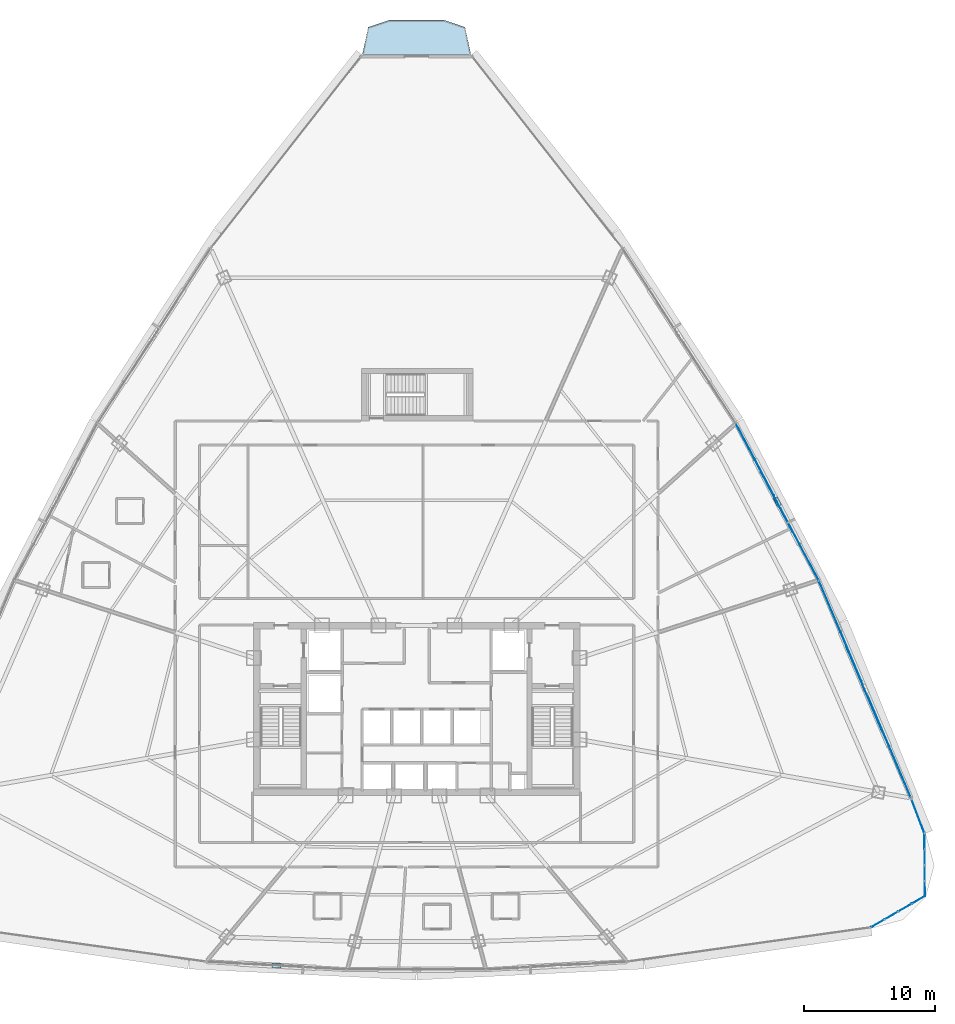
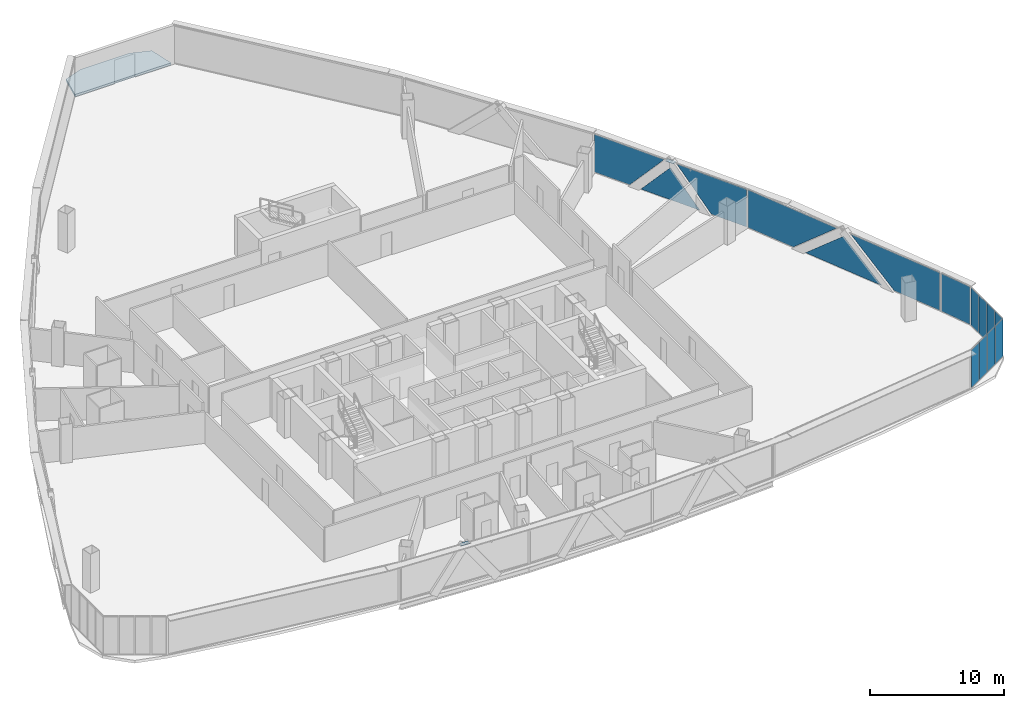
# One storey, part 30 of 40: 17 plates, 1 slab, 5 elements without a shape of their own.
"""IFC4 building model written with IfcOpenShell, lengths in metres."""

from ifc_helpers import new_model, si_unit, direction, frame, origin, origin_2d, place, context, subcontext, project, spatial, polyline, rectangle, outline, extrude, source, transform, mapped, material, layer, layer_set, type_object, element, aggregate, save


model = new_model("IFC4")

# Units and contexts
model_context = context("Model", 3, precision=1e-05, world=origin(), true_north=direction((0.0, 1.0)))
body_context = subcontext(model_context, "Body", "Model", "MODEL_VIEW")
ifc_project = project(units=[si_unit("LENGTHUNIT", "METRE"), si_unit("AREAUNIT", "SQUARE_METRE"), si_unit("VOLUMEUNIT", "CUBIC_METRE"), si_unit("PLANEANGLEUNIT", "RADIAN"), si_unit("MASSUNIT", "GRAM", prefix="KILO"), si_unit("THERMODYNAMICTEMPERATUREUNIT", "KELVIN"), si_unit("POWERUNIT", "WATT")], contexts=[model_context])

# Site, building, storey
site_placement = place(None, origin())
site = spatial("IfcSite", under=ifc_project, at=site_placement, CompositionType="ELEMENT")
building_placement = place(site_placement, origin())
building = spatial("IfcBuilding", under=site, at=building_placement, Name="Yunzhuo Pagoda Commons", CompositionType="ELEMENT")
storey_placement = place(building_placement, frame((0.0, 0.0, 180.9599609375)))
storey = spatial("IfcBuildingStorey", under=building, at=storey_placement, Name="L45", CompositionType="ELEMENT", Elevation=180.9599609375)

# Curtain wall, plates
ifc_material_1 = material(Name="Anodized aluminium 6063-T6", Category="aluminium")
ifc_layer_1 = layer(ifc_material_1, 0.14990234375)
ifc_layer_set_1 = layer_set([ifc_layer_1], Name="Anodized aluminium 6063-T6")
curtain_wall_type_1 = type_object("IfcCurtainWallType", Name="CW-MID Mid-Zone Ribbon Curtain Wall", PredefinedType="NOTDEFINED", material=ifc_layer_set_1)
curtain_wall_1_placement = place(storey_placement, origin())
curtain_wall_1 = element("IfcCurtainWall", 1, at=curtain_wall_1_placement, inside=storey, type_object=curtain_wall_type_1, Name="L45 curtain wall CW-L45-F2B2", PredefinedType="NOTDEFINED")
ifc_material_2 = material(Name="Tempered low-e double glazing", Category="glass")
ifc_layer_2 = layer(ifc_material_2, 0.028076171875)
ifc_layer_set_2 = layer_set([ifc_layer_2], Name="Tempered low-e double glazing")
plate_type_1 = type_object("IfcPlateType", Name="CW-MID-P Low-E Double Glazing 28", PredefinedType="CURTAIN_PANEL", material=ifc_layer_set_2)
plate_1_placement = place(storey_placement, frame((84.03369140625, 30.925537109375, 1.77001953125), z_axis=(0.920515325194, 0.390706457693, 0.0), x_axis=(-0.390706457693, 0.920515325194, 0.0)))
plate_1 = element("IfcPlate", 2, at=plate_1_placement, type_object=plate_type_1, Name="CW panel 1.1 lite 1", PredefinedType="CURTAIN_PANEL", context=body_context, shape_type="SweptSolid", body=[
    extrude(outline(polyline([(-4.15185546875, -1.715087890625), (0.08154296875, -1.715087890625), (4.151611328125, 1.715087890625), (-4.15185546875, 1.715087890625), (-4.15185546875, -1.715087890625)])), origin(), (0.0, 0.0, 1.0), 0.028076171875),
])
plate_2_placement = place(storey_placement, frame((82.128173828125, 35.33837890625, 1.549072265625), z_axis=(0.920515325194, 0.390706457693, 0.0), x_axis=(-0.390706457693, 0.920515325194, 0.0)))
plate_2 = element("IfcPlate", 3, at=plate_2_placement, type_object=plate_type_1, Name="CW panel 1.1 lite 2", PredefinedType="CURTAIN_PANEL", context=body_context, shape_type="SweptSolid", body=[
    extrude(outline(polyline([(-3.545654296875, -1.494140625), (3.545654296875, -1.494140625), (0.0, 1.493896484375), (-3.545654296875, -1.494140625)])), origin(), (0.0, 0.0, 1.0), 0.028076171875),
])
plate_3_placement = place(storey_placement, frame((80.27783203125, 39.77490234375, 1.77001953125), z_axis=(0.920515325194, 0.390706457693, 0.0), x_axis=(-0.390706457693, 0.920515325194, 0.0)))
plate_3 = element("IfcPlate", 4, at=plate_3_placement, type_object=plate_type_1, Name="CW panel 1.1 lite 3", PredefinedType="CURTAIN_PANEL", context=body_context, shape_type="SweptSolid", body=[
    extrude(outline(polyline([(-4.151611328125, 1.715087890625), (-0.08154296875, -1.715087890625), (4.15185546875, -1.715087890625), (4.15185546875, 1.715087890625), (-4.151611328125, 1.715087890625)])), origin(), (0.0, 0.0, 1.0), 0.028076171875),
])
aggregate(curtain_wall_1, [plate_1, plate_2, plate_3])

curtain_wall_2_placement = place(storey_placement, origin())
curtain_wall_2 = element("IfcCurtainWall", 5, at=curtain_wall_2_placement, inside=storey, type_object=curtain_wall_type_1, Name="L45 curtain wall CW-L45-F2B3", PredefinedType="NOTDEFINED")
plate_4_placement = place(storey_placement, frame((77.17138671875, 46.419189453125, 1.77001953125), z_axis=(0.884373131246, 0.46678063877, 0.0), x_axis=(-0.46678063877, 0.884373131246, 0.0)))
plate_4 = element("IfcPlate", 6, at=plate_4_placement, type_object=plate_type_1, Name="CW panel 1.1 lite 1", PredefinedType="CURTAIN_PANEL", context=body_context, shape_type="SweptSolid", body=[
    extrude(outline(polyline([(-3.070556640625, -1.715087890625), (0.020263671875, -1.715087890625), (3.07080078125, 1.715087890625), (-3.070556640625, 1.715087890625), (-3.070556640625, -1.715087890625)])), origin(), (0.0, 0.0, 1.0), 0.028076171875),
])
plate_5_placement = place(storey_placement, frame((75.451171875, 49.61376953125, 1.51171875), z_axis=(0.884373131246, 0.46678063877, 0.0), x_axis=(-0.46678063877, 0.884373131246, 0.0)))
plate_5 = element("IfcPlate", 7, at=plate_5_placement, type_object=plate_type_1, Name="CW panel 1.1 lite 2", PredefinedType="CURTAIN_PANEL", context=body_context, shape_type="SweptSolid", body=[
    extrude(outline(polyline([(-2.5908203125, -1.45654296875), (2.5908203125, -1.45654296875), (0.0, 1.45654296875), (-2.5908203125, -1.45654296875)])), origin(), (0.0, 0.0, 1.0), 0.028076171875),
])
plate_6_placement = place(storey_placement, frame((73.7841796875, 52.83642578125, 1.77001953125), z_axis=(0.884373131246, 0.46678063877, 0.0), x_axis=(-0.46678063877, 0.884373131246, 0.0)))
plate_6 = element("IfcPlate", 8, at=plate_6_placement, type_object=plate_type_1, Name="CW panel 1.1 lite 3", PredefinedType="CURTAIN_PANEL", context=body_context, shape_type="SweptSolid", body=[
    extrude(outline(polyline([(-3.070556640625, 1.715087890625), (-0.020263671875, -1.715087890625), (3.070556640625, -1.715087890625), (3.070556640625, 1.715087890625), (-3.070556640625, 1.715087890625)])), origin(), (0.0, 0.0, 1.0), 0.028076171875),
])
aggregate(curtain_wall_2, [plate_4, plate_5, plate_6])

# Slab
ifc_material_3 = material(Name="Concrete C40", Category="concrete")
ifc_layer_3 = layer(ifc_material_3, 0.199951171875)
ifc_layer_set_3 = layer_set([ifc_layer_3], Name="Concrete C40")
slab_type = type_object("IfcSlabType", Name="SL-BAL Vertex Balcony Deck Slab 200", PredefinedType="FLOOR", material=ifc_layer_set_3)
slab_placement = place(storey_placement, frame((0.0, 0.0, -0.199951171875)))
element("IfcSlab", 9, at=slab_placement, inside=storey, type_object=slab_type, Name="L45 corner balcony V3", PredefinedType="FLOOR", context=body_context, shape_type="SweptSolid", body=[
    extrude(outline(polyline([(52.140380859375, 83.7177734375), (43.859619140625, 83.7177734375), (44.309814453125, 85.812744140625), (45.929931640625, 86.36279296875), (50.070068359375, 86.36279296875), (51.690185546875, 85.812744140625), (52.140380859375, 83.7177734375)])), origin(), (0.0, 0.0, 1.0), 0.199951171875),
])

# Plates
ifc_material_4 = material(Name="Structural steel Q355B", Category="steel")
ifc_layer_4 = layer(ifc_material_4, 0.028076171875)
ifc_layer_set_4 = layer_set([ifc_layer_4], Name="Structural steel Q355B")
plate_type_2 = type_object("IfcPlateType", Name="SP-ND1 Lattice Node Cap Plate 800x500x28", PredefinedType="USERDEFINED", material=ifc_layer_set_4)
shared_shape_1 = source(origin(), body_context, "Body", "SweptSolid", [
    extrude(rectangle(XDim=0.699951171875, YDim=0.35009765625, at=origin_2d()), origin(), (0.0, 0.0, 1.0), 0.035888671875),
])
for number, where, z_axis, x_axis, name in (
    (10, (37.3330078125, 14.27294921875, 3.501953125), (0.0, 0.0, 1.0), (0.998423178068, -0.05613517165, 0.0), "L45 setback lattice tie plate F1.1L"),
    (11, (75.490234375, 49.634521484375, 3.501953125), (0.0, 0.0, 1.0), (-0.46678800242, 0.884369244601, 0.0), "L45 setback lattice tie plate F2.2L"),
):
    element("IfcPlate", number, at=place(storey_placement, frame(where, z_axis=z_axis, x_axis=x_axis)), inside=storey, type_object=plate_type_2, Name=name, ObjectType="STIFFENER_PLATE", PredefinedType="USERDEFINED", context=body_context, shape_type="MappedRepresentation", body=[
        mapped(shared_shape_1, transform((0.0, 0.0, 0.0), scale=1.0)),
    ])

# Curtain wall, plate
curtain_wall_3_placement = place(storey_placement, origin())
curtain_wall_3 = element("IfcCurtainWall", 12, at=curtain_wall_3_placement, inside=storey, type_object=curtain_wall_type_1, Name="L45 curtain wall CW-L45-F2B1", PredefinedType="NOTDEFINED")
shared_shape_2 = source(origin(), body_context, "Body", "SweptSolid", [
    extrude(rectangle(XDim=2.718994140625, YDim=0.028076171875, at=origin_2d()), origin(), (0.0, 0.0, 1.0), 3.429931640625),
])
plate_7_placement = place(storey_placement, frame((86.2216796875, 25.65625, 0.05517578125), z_axis=(0.0, 0.0, 1.0), x_axis=(-0.354256000401, 0.935148483493, 0.0)))
plate_7 = element("IfcPlate", 13, at=plate_7_placement, type_object=plate_type_1, Name="CW panel 1.1", PredefinedType="CURTAIN_PANEL", context=body_context, shape_type="MappedRepresentation", body=[
    mapped(shared_shape_2, transform((0.0, 0.0, 0.0), scale=1.0)),
])
aggregate(curtain_wall_3, [plate_7])

# Curtain wall, plates
ifc_layer_5 = layer(ifc_material_1, 0.1298828125)
ifc_layer_set_5 = layer_set([ifc_layer_5], Name="Anodized aluminium 6063-T6")
curtain_wall_type_2 = type_object("IfcCurtainWallType", Name="CW-VTX Rounded Corner Curtain Wall", PredefinedType="NOTDEFINED", material=ifc_layer_set_5)
curtain_wall_4_placement = place(storey_placement, origin())
curtain_wall_4 = element("IfcCurtainWall", 14, at=curtain_wall_4_placement, inside=storey, type_object=curtain_wall_type_2, Name="L45 curtain wall CW-L45-VTX2S1", PredefinedType="NOTDEFINED")
ifc_layer_6 = layer(ifc_material_2, 0.02587890625)
ifc_layer_set_6 = layer_set([ifc_layer_6], Name="Tempered low-e double glazing")
plate_type_3 = type_object("IfcPlateType", Name="CW-VTX-P Low-E Double Glazing 26", PredefinedType="CURTAIN_PANEL", material=ifc_layer_set_6)
shared_shape_3 = source(origin(), body_context, "Body", "SweptSolid", [
    extrude(rectangle(XDim=1.118408203125, YDim=0.028076171875, at=origin_2d()), origin(), (0.0, 0.0, 1.0), 3.429931640625),
])
plate_8_placement = place(storey_placement, frame((83.15576171875, 17.4951171875, 0.05517578125), z_axis=(0.0, 0.0, 1.0), x_axis=(0.865423910208, 0.501040373263, 0.0)))
plate_8 = element("IfcPlate", 15, at=plate_8_placement, type_object=plate_type_3, Name="CW panel 1.1", PredefinedType="CURTAIN_PANEL", context=body_context, shape_type="MappedRepresentation", body=[
    mapped(shared_shape_3, transform((0.0, 0.0, 0.0), scale=1.0)),
])
plate_9_placement = place(storey_placement, frame((86.25, 19.28662109375, 0.05517578125), z_axis=(0.0, 0.0, 1.0), x_axis=(0.865423910208, 0.501040373263, 0.0)))
plate_9 = element("IfcPlate", 16, at=plate_9_placement, type_object=plate_type_3, Name="CW panel 4.1", PredefinedType="CURTAIN_PANEL", context=body_context, shape_type="MappedRepresentation", body=[
    mapped(shared_shape_3, transform((0.0, 0.0, 0.0), scale=1.0)),
])

curtain_wall_5_placement = place(storey_placement, origin())
curtain_wall_5 = element("IfcCurtainWall", 17, at=curtain_wall_5_placement, inside=storey, type_object=curtain_wall_type_2, Name="L45 curtain wall CW-L45-VTX2S2", PredefinedType="NOTDEFINED")
plate_10_placement = place(storey_placement, frame((86.739501953125, 20.13916015625, 0.05517578125), z_axis=(0.0, 0.0, 1.0), x_axis=(-0.003580326762, 0.99999359061, 0.0)))
plate_10 = element("IfcPlate", 18, at=plate_10_placement, type_object=plate_type_3, Name="CW panel 1.1", PredefinedType="CURTAIN_PANEL", context=body_context, shape_type="MappedRepresentation", body=[
    mapped(shared_shape_3, transform((0.0, 0.0, 0.0), scale=1.0)),
])
plate_11_placement = place(storey_placement, frame((86.726806640625, 23.714599609375, 0.05517578125), z_axis=(0.0, 0.0, 1.0), x_axis=(-0.003580326762, 0.99999359061, 0.0)))
plate_11 = element("IfcPlate", 19, at=plate_11_placement, type_object=plate_type_3, Name="CW panel 4.1", PredefinedType="CURTAIN_PANEL", context=body_context, shape_type="MappedRepresentation", body=[
    mapped(shared_shape_3, transform((0.0, 0.0, 0.0), scale=1.0)),
])

# Plate
shared_shape_4 = source(origin(), body_context, "Body", "SweptSolid", [
    extrude(rectangle(XDim=1.14599609375, YDim=0.028076171875, at=origin_2d()), origin(), (0.0, 0.0, 1.0), 3.429931640625),
])
plate_12_placement = place(storey_placement, frame((84.183349609375, 18.090087890625, 0.05517578125), z_axis=(0.0, 0.0, 1.0), x_axis=(0.865423910208, 0.501040373263, 0.0)))
plate_12 = element("IfcPlate", 20, at=plate_12_placement, type_object=plate_type_3, Name="CW panel 2.1", PredefinedType="CURTAIN_PANEL", context=body_context, shape_type="MappedRepresentation", body=[
    mapped(shared_shape_4, transform((0.0, 0.0, 0.0), scale=1.0)),
])

plate_13_placement = place(storey_placement, frame((85.22265625, 18.69189453125, 0.05517578125), z_axis=(0.0, 0.0, 1.0), x_axis=(0.865423910208, 0.501040373263, 0.0)))
plate_13 = element("IfcPlate", 21, at=plate_13_placement, type_object=plate_type_3, Name="CW panel 3.1", PredefinedType="CURTAIN_PANEL", context=body_context, shape_type="MappedRepresentation", body=[
    mapped(shared_shape_4, transform((0.0, 0.0, 0.0), scale=1.0)),
])

aggregate(curtain_wall_4, [plate_8, plate_12, plate_13, plate_9])

plate_14_placement = place(storey_placement, frame((86.7353515625, 21.326416015625, 0.05517578125), z_axis=(0.0, 0.0, 1.0), x_axis=(-0.003580326762, 0.99999359061, 0.0)))
plate_14 = element("IfcPlate", 22, at=plate_14_placement, type_object=plate_type_3, Name="CW panel 2.1", PredefinedType="CURTAIN_PANEL", context=body_context, shape_type="MappedRepresentation", body=[
    mapped(shared_shape_4, transform((0.0, 0.0, 0.0), scale=1.0)),
])

plate_15_placement = place(storey_placement, frame((86.73095703125, 22.52734375, 0.05517578125), z_axis=(0.0, 0.0, 1.0), x_axis=(-0.003580326762, 0.99999359061, 0.0)))
plate_15 = element("IfcPlate", 23, at=plate_15_placement, type_object=plate_type_3, Name="CW panel 3.1", PredefinedType="CURTAIN_PANEL", context=body_context, shape_type="MappedRepresentation", body=[
    mapped(shared_shape_4, transform((0.0, 0.0, 0.0), scale=1.0)),
])

aggregate(curtain_wall_5, [plate_10, plate_14, plate_15, plate_11])

save(model, "model.ifc")
